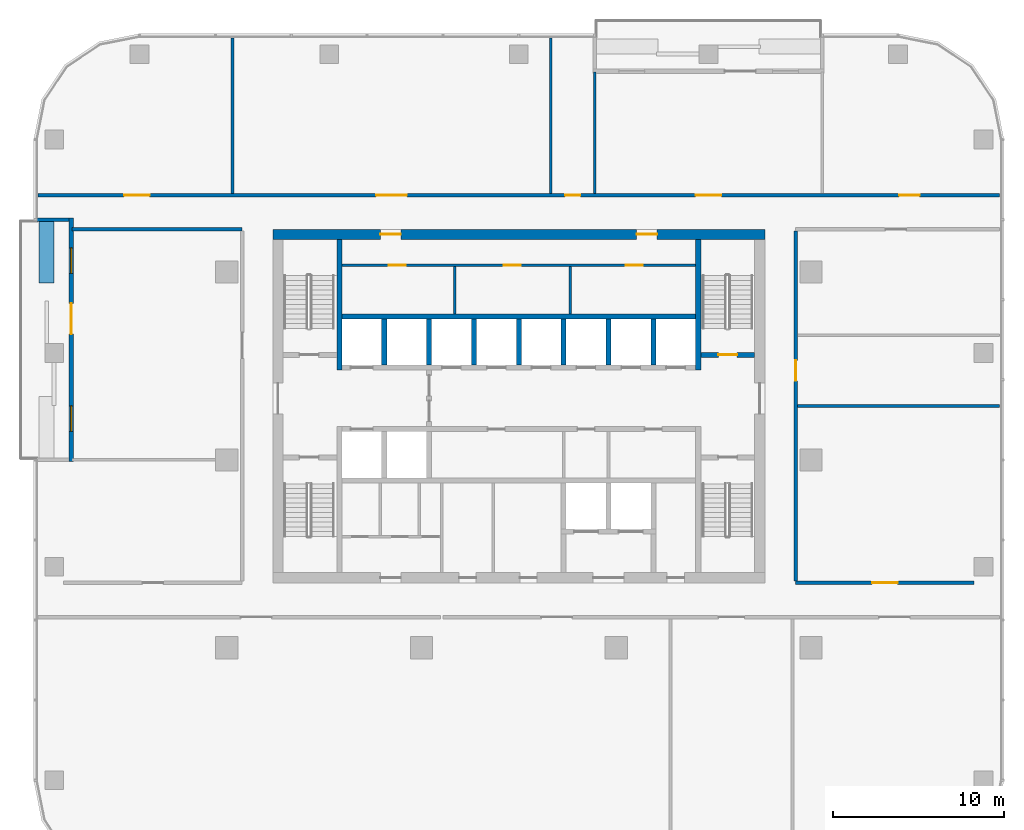
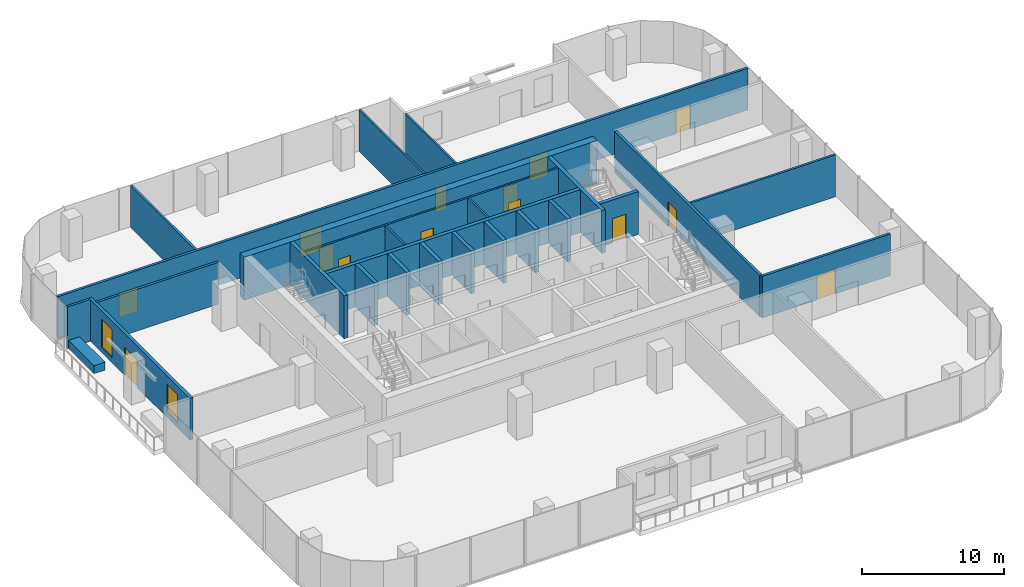
# One storey, part 9 of 14: 26 walls, 14 doors, 2 windows, 16 openings.
"""IFC4 building model written with IfcOpenShell, lengths in metres."""

from ifc_helpers import new_model, si_unit, direction, frame, frame_2d, origin, place, context, subcontext, project, spatial, rectangle, extrude, material, layer, layer_set, type_object, element, fill, save


model = new_model("IFC4")

# Units and contexts
model_context = context("Model", 3, precision=1e-05, world=origin(), true_north=direction((0.0, 1.0)))
body_context = subcontext(model_context, "Body", "Model", "MODEL_VIEW")
ifc_project = project(units=[si_unit("LENGTHUNIT", "METRE"), si_unit("AREAUNIT", "SQUARE_METRE"), si_unit("VOLUMEUNIT", "CUBIC_METRE"), si_unit("PLANEANGLEUNIT", "RADIAN"), si_unit("MASSUNIT", "GRAM", prefix="KILO")], contexts=[model_context])

# Site, building, storey
site_placement = place(None, origin())
site = spatial("IfcSite", under=ifc_project, at=site_placement, CompositionType="ELEMENT")
building_placement = place(site_placement, origin())
building = spatial("IfcBuilding", under=site, at=building_placement, Name="Mopane Tessera Tower", CompositionType="ELEMENT")
storey_placement = place(building_placement, frame((0.0, 0.0, 251.0)))
storey = spatial("IfcBuildingStorey", under=building, at=storey_placement, Name="L54", CompositionType="ELEMENT", Elevation=251.0)

# Walls
ifc_material_1 = material(Name="Fire-rated gypsum board partition")
ifc_layer_1 = layer(ifc_material_1, 0.14990234375)
ifc_layer_set_1 = layer_set([ifc_layer_1], Name="Fire-rated gypsum board partition")
wall_type_1 = type_object("IfcWallType", Name="Core room partition 150 mm", PredefinedType="PARTITIONING", material=ifc_layer_set_1)
for number, where, z_axis, x_axis, name in (
    (1, (-3.75, 8.550048828125, 0.0), (0.0, 0.0, 1.0), (0.0, 1.0, 0.0), "L54 Room partition"),
    (2, (3.0, 8.550048828125, 0.0), (0.0, 0.0, 1.0), (0.0, 1.0, 0.0), "L54 Room partition"),
):
    element("IfcWall", number, at=place(storey_placement, frame(where, z_axis=z_axis, x_axis=x_axis)), inside=storey, type_object=wall_type_1, Name=name, PredefinedType="PARTITIONING", context=body_context, shape_type="SweptSolid", body=[
        extrude(rectangle(XDim=2.77490234375, YDim=0.14990234375, at=frame_2d((1.387451171875, 0.0))), origin(), (0.0, 0.0, 1.0), 3.699951171875),
    ])

# Wall, openings, doors
wall_1_placement = place(storey_placement, frame((-10.35009765625, 11.39990234375, 0.0), z_axis=(0.0, 0.0, 1.0), x_axis=(1.0, 0.0, 0.0)))
wall_1 = element("IfcWall", 3, at=wall_1_placement, inside=storey, type_object=wall_type_1, Name="L54 Corridor wall", PredefinedType="PARTITIONING", context=body_context, shape_type="SweptSolid", body=[
    extrude(rectangle(XDim=20.7001953125, YDim=0.14990234375, at=frame_2d((10.35009765625, 0.0))), origin(), (0.0, 0.0, 1.0), 3.699951171875),
])
opening_1_placement = place(wall_1_placement, frame((2.72509765625, 0.0, 0.0)))
opening_1 = element("IfcOpeningElement", 4, at=opening_1_placement, cuts=wall_1, Name="Opening RD1", PredefinedType="OPENING", context=body_context, shape_type="SweptSolid", body=[
    extrude(rectangle(XDim=1.0, YDim=2.10009765625, at=frame_2d((0.5, 1.050048828125))), frame((0.0, 0.0869140625, 0.0), z_axis=(0.0, -1.0, 0.0), x_axis=(1.0, 0.0, 0.0)), (0.0, 0.0, 1.0), 0.173828125),
])
opening_2_placement = place(wall_1_placement, frame((9.47509765625, 0.0, 0.0)))
opening_2 = element("IfcOpeningElement", 5, at=opening_2_placement, cuts=wall_1, Name="Opening RD1", PredefinedType="OPENING", context=body_context, shape_type="SweptSolid", body=[
    extrude(rectangle(XDim=1.0, YDim=2.10009765625, at=frame_2d((0.5, 1.050048828125))), frame((0.0, 0.0869140625, 0.0), z_axis=(0.0, -1.0, 0.0), x_axis=(1.0, 0.0, 0.0)), (0.0, 0.0, 1.0), 0.173828125),
])
opening_3_placement = place(wall_1_placement, frame((16.60009765625, 0.0, 0.0)))
opening_3 = element("IfcOpeningElement", 6, at=opening_3_placement, cuts=wall_1, Name="Opening RD1", PredefinedType="OPENING", context=body_context, shape_type="SweptSolid", body=[
    extrude(rectangle(XDim=1.0, YDim=2.10009765625, at=frame_2d((0.5, 1.050048828125))), frame((0.0, 0.0869140625, 0.0), z_axis=(0.0, -1.0, 0.0), x_axis=(1.0, 0.0, 0.0)), (0.0, 0.0, 1.0), 0.173828125),
])
ifc_material_2 = material(Name="Timber door", Category="wood")
door_type_1 = type_object("IfcDoorType", Name="Core room door 1000 x 2100", OperationType="SINGLE_SWING_LEFT", PredefinedType="DOOR", material=ifc_material_2)
door_1_placement = place(opening_1_placement, origin())
door_1 = element("IfcDoor", 7, at=door_1_placement, inside=storey, type_object=door_type_1, Name="L54 Room door", OperationType="SINGLE_SWING_LEFT", OverallHeight=2.10009765625, OverallWidth=1.0, PredefinedType="DOOR", context=body_context, shape_type="SweptSolid", body=[
    extrude(rectangle(XDim=1.0, YDim=2.10009765625, at=frame_2d((0.5, 1.050048828125))), frame((0.0, 0.02490234375, 0.0), z_axis=(0.0, -1.0, 0.0), x_axis=(1.0, 0.0, 0.0)), (0.0, 0.0, 1.0), 0.050048828125),
])
fill(opening_1, door_1)
door_2_placement = place(opening_2_placement, origin())
door_2 = element("IfcDoor", 8, at=door_2_placement, inside=storey, type_object=door_type_1, Name="L54 Room door", OperationType="SINGLE_SWING_LEFT", OverallHeight=2.10009765625, OverallWidth=1.0, PredefinedType="DOOR", context=body_context, shape_type="SweptSolid", body=[
    extrude(rectangle(XDim=1.0, YDim=2.10009765625, at=frame_2d((0.5, 1.050048828125))), frame((0.0, 0.02490234375, 0.0), z_axis=(0.0, -1.0, 0.0), x_axis=(1.0, 0.0, 0.0)), (0.0, 0.0, 1.0), 0.050048828125),
])
fill(opening_2, door_2)
door_3_placement = place(opening_3_placement, origin())
door_3 = element("IfcDoor", 9, at=door_3_placement, inside=storey, type_object=door_type_1, Name="L54 Room door", OperationType="SINGLE_SWING_LEFT", OverallHeight=2.10009765625, OverallWidth=1.0, PredefinedType="DOOR", context=body_context, shape_type="SweptSolid", body=[
    extrude(rectangle(XDim=1.0, YDim=2.10009765625, at=frame_2d((0.5, 1.050048828125))), frame((0.0, 0.02490234375, 0.0), z_axis=(0.0, -1.0, 0.0), x_axis=(1.0, 0.0, 0.0)), (0.0, 0.0, 1.0), 0.050048828125),
])
fill(opening_3, door_3)

ifc_material_3 = material(Name="Concrete C70/85", Category="concrete")
ifc_layer_2 = layer(ifc_material_3, 0.60009765625)
ifc_layer_set_2 = layer_set([ifc_layer_2], Name="Concrete C70/85")
wall_type_2 = type_object("IfcWallType", Name="Core shear wall 600 mm", PredefinedType="SHEAR", material=ifc_layer_set_2)
wall_2_placement = place(storey_placement, frame((-14.39990234375, 13.199951171875, 0.0), z_axis=(0.0, 0.0, 1.0), x_axis=(1.0, 0.0, 0.0)))
wall_2 = element("IfcWall", 10, at=wall_2_placement, inside=storey, type_object=wall_type_2, Name="L54 Core wall north", PredefinedType="SHEAR", context=body_context, shape_type="SweptSolid", body=[
    extrude(rectangle(XDim=28.7998046875, YDim=0.60009765625, at=frame_2d((14.39990234375, 0.0))), origin(), (0.0, 0.0, 1.0), 3.699951171875),
])
opening_4_placement = place(wall_2_placement, frame((6.300048828125, 0.0, 0.0)))
opening_4 = element("IfcOpeningElement", 11, at=opening_4_placement, cuts=wall_2, Name="Opening RD2", PredefinedType="OPENING", context=body_context, shape_type="SweptSolid", body=[
    extrude(rectangle(XDim=1.199951171875, YDim=2.10009765625, at=frame_2d((0.60009765625, 1.050048828125))), frame((0.0, 0.31201171875, 0.0), z_axis=(0.0, -1.0, 0.0), x_axis=(1.0, 0.0, 0.0)), (0.0, 0.0, 1.0), 0.6240234375),
])
opening_5_placement = place(wall_2_placement, frame((21.300048828125, 0.0, 0.0)))
opening_5 = element("IfcOpeningElement", 12, at=opening_5_placement, cuts=wall_2, Name="Opening RD2", PredefinedType="OPENING", context=body_context, shape_type="SweptSolid", body=[
    extrude(rectangle(XDim=1.199951171875, YDim=2.10009765625, at=frame_2d((0.60009765625, 1.050048828125))), frame((0.0, 0.31201171875, 0.0), z_axis=(0.0, -1.0, 0.0), x_axis=(1.0, 0.0, 0.0)), (0.0, 0.0, 1.0), 0.6240234375),
])
ifc_material_4 = material(Name="Timber door", Category="wood")
door_type_2 = type_object("IfcDoorType", Name="Core corridor door 1200 x 2100", OperationType="SINGLE_SWING_LEFT", PredefinedType="DOOR", material=ifc_material_4)
door_4_placement = place(opening_4_placement, origin())
door_4 = element("IfcDoor", 13, at=door_4_placement, inside=storey, type_object=door_type_2, Name="L54 Corridor door", OperationType="SINGLE_SWING_LEFT", OverallHeight=2.10009765625, OverallWidth=1.199951171875, PredefinedType="DOOR", context=body_context, shape_type="SweptSolid", body=[
    extrude(rectangle(XDim=1.199951171875, YDim=2.10009765625, at=frame_2d((0.60009765625, 1.050048828125))), frame((0.0, 0.02490234375, 0.0), z_axis=(0.0, -1.0, 0.0), x_axis=(1.0, 0.0, 0.0)), (0.0, 0.0, 1.0), 0.050048828125),
])
fill(opening_4, door_4)
door_5_placement = place(opening_5_placement, origin())
door_5 = element("IfcDoor", 14, at=door_5_placement, inside=storey, type_object=door_type_2, Name="L54 Corridor door", OperationType="SINGLE_SWING_RIGHT", OverallHeight=2.10009765625, OverallWidth=1.199951171875, PredefinedType="DOOR", context=body_context, shape_type="SweptSolid", body=[
    extrude(rectangle(XDim=1.199951171875, YDim=2.10009765625, at=frame_2d((0.60009765625, 1.050048828125))), frame((0.0, 0.02490234375, 0.0), z_axis=(0.0, -1.0, 0.0), x_axis=(1.0, 0.0, 0.0)), (0.0, 0.0, 1.0), 0.050048828125),
])
fill(opening_5, door_5)

# Walls
ifc_material_5 = material(Name="Concrete C60/75", Category="concrete")
ifc_layer_3 = layer(ifc_material_5, 0.300048828125)
ifc_layer_set_3 = layer_set([ifc_layer_3], Name="Concrete C60/75")
wall_type_3 = type_object("IfcWallType", Name="Core spine wall 300 mm", PredefinedType="SHEAR", material=ifc_layer_set_3)
for number, where, z_axis, x_axis, name in (
    (15, (-10.5, 5.25, 0.0), (0.0, 0.0, 1.0), (0.0, 1.0, 0.0), "L54 Core spine wall"),
    (16, (10.5, 5.25, 0.0), (0.0, 0.0, 1.0), (0.0, 1.0, 0.0), "L54 Core spine wall"),
):
    element("IfcWall", number, at=place(storey_placement, frame(where, z_axis=z_axis, x_axis=x_axis)), inside=storey, type_object=wall_type_3, Name=name, PredefinedType="SHEAR", context=body_context, shape_type="SweptSolid", body=[
        extrude(rectangle(XDim=7.64990234375, YDim=0.300048828125, at=frame_2d((3.824951171875, 0.0))), origin(), (0.0, 0.0, 1.0), 3.699951171875),
    ])
ifc_material_6 = material(Name="Gypsum board on staggered steel studs, double layer each face, acoustic mineral wool infill", Category="steel")
ifc_layer_4 = layer(ifc_material_6, 0.175048828125)
ifc_layer_set_4 = layer_set([ifc_layer_4], Name="Gypsum board on staggered steel studs, double layer each face, acoustic mineral wool infill")
wall_type_4 = type_object("IfcWallType", Name="Gypsum board acoustic partition 175, rated EI 60", PredefinedType="PARTITIONING", material=ifc_layer_set_4)
wall_3_placement = place(storey_placement, frame((16.300048828125, 3.14990234375, 0.0), z_axis=(0.0, 0.0, 1.0), x_axis=(1.0, 0.0, 0.0)))
element("IfcWall", 17, at=wall_3_placement, inside=storey, type_object=wall_type_4, Name="Partition L54:005", PredefinedType="PARTITIONING", context=body_context, shape_type="SweptSolid", body=[
    extrude(rectangle(XDim=11.849853515625, YDim=0.175048828125, at=frame_2d((5.9248046875, 0.0))), origin(), (0.0, 0.0, 1.0), 3.60009765625),
])
wall_4_placement = place(storey_placement, frame((-16.77001953125, 15.60009765625, 0.0), z_axis=(0.0, 0.0, 1.0), x_axis=(0.0, 1.0, 0.0)))
element("IfcWall", 18, at=wall_4_placement, inside=storey, type_object=wall_type_4, Name="Partition L54:010", PredefinedType="PARTITIONING", context=body_context, shape_type="SweptSolid", body=[
    extrude(rectangle(XDim=9.099853515625, YDim=0.175048828125, at=frame_2d((4.5498046875, 0.0))), origin(), (0.0, 0.0, 1.0), 3.60009765625),
])

# Wall, opening, door
ifc_material_7 = material(Name="Gypsum board on steel studs, two layers each face, mineral wool infill", Category="steel")
ifc_layer_5 = layer(ifc_material_7, 0.199951171875)
ifc_layer_set_5 = layer_set([ifc_layer_5], Name="Gypsum board on steel studs, two layers each face, mineral wool infill")
wall_type_5 = type_object("IfcWallType", Name="Gypsum board corridor wall 200, rated EI 60", PredefinedType="PARTITIONING", material=ifc_layer_set_5)
wall_5_placement = place(storey_placement, frame((16.199951171875, -7.199951171875, 0.0), z_axis=(0.0, 0.0, 1.0), x_axis=(1.0, 0.0, 0.0)))
wall_5 = element("IfcWall", 19, at=wall_5_placement, inside=storey, type_object=wall_type_5, Name="Partition L54:003", PredefinedType="PARTITIONING", context=body_context, shape_type="SweptSolid", body=[
    extrude(rectangle(XDim=10.449951171875, YDim=0.199951171875, at=frame_2d((5.22509765625, 0.0))), origin(), (0.0, 0.0, 1.0), 3.60009765625),
])
opening_6_placement = place(wall_5_placement, frame((4.47509765625, 0.0, 0.0)))
opening_6 = element("IfcOpeningElement", 20, at=opening_6_placement, cuts=wall_5, Name="Opening L54-14", PredefinedType="OPENING", context=body_context, shape_type="SweptSolid", body=[
    extrude(rectangle(XDim=1.5, YDim=2.10009765625, at=frame_2d((0.75, 1.050048828125))), frame((0.0, 0.112060546875, 0.0), z_axis=(0.0, -1.0, 0.0), x_axis=(1.0, 0.0, 0.0)), (0.0, 0.0, 1.0), 0.223876953125),
])
ifc_material_8 = material(Name="Timber veneered steel-framed fire door", Category="steel")
door_type_3 = type_object("IfcDoorType", Name="Fire door pair FD60 1500 x 2100", OperationType="DOUBLE_DOOR_SINGLE_SWING", PredefinedType="DOOR", material=ifc_material_8)
door_6_placement = place(opening_6_placement, origin())
door_6 = element("IfcDoor", 21, at=door_6_placement, inside=storey, type_object=door_type_3, Name="Door L54-14", ObjectType="D17A", OperationType="DOUBLE_DOOR_SINGLE_SWING", OverallHeight=2.10009765625, OverallWidth=1.5, PredefinedType="DOOR", context=body_context, shape_type="SweptSolid", body=[
    extrude(rectangle(XDim=1.5, YDim=2.10009765625, at=frame_2d((0.75, 1.050048828125))), frame((0.0, 0.02490234375, 0.0), z_axis=(0.0, -1.0, 0.0), x_axis=(1.0, 0.0, 0.0)), (0.0, 0.0, 1.0), 0.050048828125),
])
fill(opening_6, door_6)

# Wall
wall_6_placement = place(storey_placement, frame((-26.14990234375, 13.5, 0.0), z_axis=(0.0, 0.0, 1.0), x_axis=(1.0, 0.0, 0.0)))
element("IfcWall", 22, at=wall_6_placement, inside=storey, type_object=wall_type_5, Name="Partition L54:007", PredefinedType="PARTITIONING", context=body_context, shape_type="SweptSolid", body=[
    extrude(rectangle(XDim=9.949951171875, YDim=0.199951171875, at=frame_2d((4.97509765625, 0.0))), origin(), (0.0, 0.0, 1.0), 3.60009765625),
])

# Wall, openings, doors
wall_7_placement = place(storey_placement, frame((-28.14990234375, 15.5, 0.0), z_axis=(0.0, 0.0, 1.0), x_axis=(1.0, 0.0, 0.0)))
wall_7 = element("IfcWall", 23, at=wall_7_placement, inside=storey, type_object=wall_type_5, Name="Partition L54:009", PredefinedType="PARTITIONING", context=body_context, shape_type="SweptSolid", body=[
    extrude(rectangle(XDim=56.2998046875, YDim=0.199951171875, at=frame_2d((28.14990234375, 0.0))), origin(), (0.0, 0.0, 1.0), 3.60009765625),
])
opening_7_placement = place(wall_7_placement, frame((50.405029296875, 0.0, 0.0)))
opening_7 = element("IfcOpeningElement", 24, at=opening_7_placement, cuts=wall_7, Name="Opening L54-01", PredefinedType="OPENING", context=body_context, shape_type="SweptSolid", body=[
    extrude(rectangle(XDim=1.199951171875, YDim=2.10009765625, at=frame_2d((0.60009765625, 1.050048828125))), frame((0.0, 0.112060546875, 0.0), z_axis=(0.0, -1.0, 0.0), x_axis=(1.0, 0.0, 0.0)), (0.0, 0.0, 1.0), 0.223876953125),
])
opening_8_placement = place(wall_7_placement, frame((38.5, 0.0, 0.0)))
opening_8 = element("IfcOpeningElement", 25, at=opening_8_placement, cuts=wall_7, Name="Opening L54-05", PredefinedType="OPENING", context=body_context, shape_type="SweptSolid", body=[
    extrude(rectangle(XDim=1.5, YDim=2.10009765625, at=frame_2d((0.75, 1.050048828125))), frame((0.0, 0.112060546875, 0.0), z_axis=(0.0, -1.0, 0.0), x_axis=(1.0, 0.0, 0.0)), (0.0, 0.0, 1.0), 0.223876953125),
])
opening_9_placement = place(wall_7_placement, frame((30.8525390625, 0.0, 0.0)))
opening_9 = element("IfcOpeningElement", 26, at=opening_9_placement, cuts=wall_7, Name="Opening L54-06", PredefinedType="OPENING", context=body_context, shape_type="SweptSolid", body=[
    extrude(rectangle(XDim=0.89990234375, YDim=2.10009765625, at=frame_2d((0.449951171875, 1.050048828125))), frame((0.0, 0.112060546875, 0.0), z_axis=(0.0, -1.0, 0.0), x_axis=(1.0, 0.0, 0.0)), (0.0, 0.0, 1.0), 0.223876953125),
])
opening_10_placement = place(wall_7_placement, frame((19.797607421875, 0.0, 0.0)))
opening_10 = element("IfcOpeningElement", 27, at=opening_10_placement, cuts=wall_7, Name="Opening L54-10", PredefinedType="OPENING", context=body_context, shape_type="SweptSolid", body=[
    extrude(rectangle(XDim=1.800048828125, YDim=2.10009765625, at=frame_2d((0.89990234375, 1.050048828125))), frame((0.0, 0.112060546875, 0.0), z_axis=(0.0, -1.0, 0.0), x_axis=(1.0, 0.0, 0.0)), (0.0, 0.0, 1.0), 0.223876953125),
])
opening_11_placement = place(wall_7_placement, frame((5.0400390625, 0.0, 0.0)))
opening_11 = element("IfcOpeningElement", 28, at=opening_11_placement, cuts=wall_7, Name="Opening L54-12", PredefinedType="OPENING", context=body_context, shape_type="SweptSolid", body=[
    extrude(rectangle(XDim=1.5, YDim=2.10009765625, at=frame_2d((0.75, 1.050048828125))), frame((0.0, 0.112060546875, 0.0), z_axis=(0.0, -1.0, 0.0), x_axis=(1.0, 0.0, 0.0)), (0.0, 0.0, 1.0), 0.223876953125),
])
ifc_material_9 = material(Name="Timber veneered steel-framed fire door", Category="steel")
door_type_4 = type_object("IfcDoorType", Name="Fire door FD60 1200 x 2100", OperationType="SINGLE_SWING_LEFT", PredefinedType="DOOR", material=ifc_material_9)
door_7_placement = place(opening_7_placement, origin())
door_7 = element("IfcDoor", 29, at=door_7_placement, inside=storey, type_object=door_type_4, Name="Door L54-01", ObjectType="D15A", OperationType="SINGLE_SWING_RIGHT", OverallHeight=2.10009765625, OverallWidth=1.199951171875, PredefinedType="DOOR", context=body_context, shape_type="SweptSolid", body=[
    extrude(rectangle(XDim=1.199951171875, YDim=2.10009765625, at=frame_2d((0.60009765625, 1.050048828125))), frame((0.0, 0.02490234375, 0.0), z_axis=(0.0, -1.0, 0.0), x_axis=(1.0, 0.0, 0.0)), (0.0, 0.0, 1.0), 0.050048828125),
])
fill(opening_7, door_7)
ifc_material_10 = material(Name="Timber veneered steel-framed fire door", Category="steel")
door_type_5 = type_object("IfcDoorType", Name="Fire door FD60 900 x 2100", OperationType="SINGLE_SWING_LEFT", PredefinedType="DOOR", material=ifc_material_10)
door_8_placement = place(opening_9_placement, origin())
door_8 = element("IfcDoor", 30, at=door_8_placement, inside=storey, type_object=door_type_5, Name="Door L54-06", ObjectType="D10A", OperationType="SINGLE_SWING_LEFT", OverallHeight=2.10009765625, OverallWidth=0.89990234375, PredefinedType="DOOR", context=body_context, shape_type="SweptSolid", body=[
    extrude(rectangle(XDim=0.89990234375, YDim=2.10009765625, at=frame_2d((0.449951171875, 1.050048828125))), frame((0.0, 0.02490234375, 0.0), z_axis=(0.0, -1.0, 0.0), x_axis=(1.0, 0.0, 0.0)), (0.0, 0.0, 1.0), 0.050048828125),
])
fill(opening_9, door_8)
door_9_placement = place(opening_8_placement, origin())
door_9 = element("IfcDoor", 31, at=door_9_placement, inside=storey, type_object=door_type_3, Name="Door L54-05", ObjectType="D17A", OperationType="DOUBLE_DOOR_SINGLE_SWING", OverallHeight=2.10009765625, OverallWidth=1.5, PredefinedType="DOOR", context=body_context, shape_type="SweptSolid", body=[
    extrude(rectangle(XDim=1.5, YDim=2.10009765625, at=frame_2d((0.75, 1.050048828125))), frame((0.0, 0.02490234375, 0.0), z_axis=(0.0, -1.0, 0.0), x_axis=(1.0, 0.0, 0.0)), (0.0, 0.0, 1.0), 0.050048828125),
])
fill(opening_8, door_9)
door_10_placement = place(opening_11_placement, origin())
door_10 = element("IfcDoor", 32, at=door_10_placement, inside=storey, type_object=door_type_3, Name="Door L54-12", ObjectType="D17A", OperationType="DOUBLE_DOOR_SINGLE_SWING", OverallHeight=2.10009765625, OverallWidth=1.5, PredefinedType="DOOR", context=body_context, shape_type="SweptSolid", body=[
    extrude(rectangle(XDim=1.5, YDim=2.10009765625, at=frame_2d((0.75, 1.050048828125))), frame((0.0, 0.02490234375, 0.0), z_axis=(0.0, -1.0, 0.0), x_axis=(1.0, 0.0, 0.0)), (0.0, 0.0, 1.0), 0.050048828125),
])
fill(opening_11, door_10)
ifc_material_11 = material(Name="Timber veneered steel-framed fire door", Category="steel")
door_type_6 = type_object("IfcDoorType", Name="Fire door pair FD60 1800 x 2100", OperationType="DOUBLE_DOOR_SINGLE_SWING", PredefinedType="DOOR", material=ifc_material_11)
door_11_placement = place(opening_10_placement, origin())
door_11 = element("IfcDoor", 33, at=door_11_placement, inside=storey, type_object=door_type_6, Name="Door L54-10", ObjectType="D20A", OperationType="DOUBLE_DOOR_SINGLE_SWING", OverallHeight=2.10009765625, OverallWidth=1.800048828125, PredefinedType="DOOR", context=body_context, shape_type="SweptSolid", body=[
    extrude(rectangle(XDim=1.800048828125, YDim=2.10009765625, at=frame_2d((0.89990234375, 1.050048828125))), frame((0.0, 0.02490234375, 0.0), z_axis=(0.0, -1.0, 0.0), x_axis=(1.0, 0.0, 0.0)), (0.0, 0.0, 1.0), 0.050048828125),
])
fill(opening_10, door_11)

# Wall, opening, door
wall_8_placement = place(storey_placement, frame((16.199951171875, -7.10009765625, 0.0), z_axis=(0.0, 0.0, 1.0), x_axis=(0.0, 1.0, 0.0)))
wall_8 = element("IfcWall", 34, at=wall_8_placement, inside=storey, type_object=wall_type_5, Name="Partition L54:016", PredefinedType="PARTITIONING", context=body_context, shape_type="SweptSolid", body=[
    extrude(rectangle(XDim=20.5, YDim=0.199951171875, at=frame_2d((10.25, 0.0))), origin(), (0.0, 0.0, 1.0), 3.60009765625),
])
opening_12_placement = place(wall_8_placement, frame((11.719970703125, 0.0, 0.0)))
opening_12 = element("IfcOpeningElement", 35, at=opening_12_placement, cuts=wall_8, Name="Opening L54-11", PredefinedType="OPENING", context=body_context, shape_type="SweptSolid", body=[
    extrude(rectangle(XDim=1.199951171875, YDim=2.10009765625, at=frame_2d((0.60009765625, 1.050048828125))), frame((0.0, 0.112060546875, 0.0), z_axis=(0.0, -1.0, 0.0), x_axis=(1.0, 0.0, 0.0)), (0.0, 0.0, 1.0), 0.223876953125),
])
door_12_placement = place(opening_12_placement, origin())
door_12 = element("IfcDoor", 36, at=door_12_placement, inside=storey, type_object=door_type_4, Name="Door L54-11", ObjectType="D15A", OperationType="SINGLE_SWING_LEFT", OverallHeight=2.10009765625, OverallWidth=1.199951171875, PredefinedType="DOOR", context=body_context, shape_type="SweptSolid", body=[
    extrude(rectangle(XDim=1.199951171875, YDim=2.10009765625, at=frame_2d((0.60009765625, 1.050048828125))), frame((0.0, 0.02490234375, 0.0), z_axis=(0.0, -1.0, 0.0), x_axis=(1.0, 0.0, 0.0)), (0.0, 0.0, 1.0), 0.050048828125),
])
fill(opening_12, door_12)

# Walls
ifc_material_12 = material(Name="Gypsum board on steel studs, mineral wool infill", Category="steel")
ifc_layer_6 = layer(ifc_material_12, 0.14990234375)
ifc_layer_set_6 = layer_set([ifc_layer_6], Name="Gypsum board on steel studs, mineral wool infill")
wall_type_6 = type_object("IfcWallType", Name="Gypsum board partition 150, rated EI 60", PredefinedType="PARTITIONING", material=ifc_layer_set_6)
wall_9_placement = place(storey_placement, frame((1.864990234375, 15.60009765625, 0.0), z_axis=(0.0, 0.0, 1.0), x_axis=(0.0, 1.0, 0.0)))
element("IfcWall", 37, at=wall_9_placement, inside=storey, type_object=wall_type_6, Name="Partition L54:012", PredefinedType="PARTITIONING", context=body_context, shape_type="SweptSolid", body=[
    extrude(rectangle(XDim=9.099853515625, YDim=0.14990234375, at=frame_2d((4.5498046875, 0.0))), origin(), (0.0, 0.0, 1.0), 3.60009765625),
])
wall_10_placement = place(storey_placement, frame((4.43994140625, 15.60009765625, 0.0), z_axis=(0.0, 0.0, 1.0), x_axis=(0.0, 1.0, 0.0)))
element("IfcWall", 38, at=wall_10_placement, inside=storey, type_object=wall_type_6, Name="Partition L54:013", PredefinedType="PARTITIONING", context=body_context, shape_type="SweptSolid", body=[
    extrude(rectangle(XDim=7.099853515625, YDim=0.14990234375, at=frame_2d((3.5498046875, 0.0))), origin(), (0.0, 0.0, 1.0), 3.60009765625),
])

# Wall, opening, door
ifc_material_13 = material(Name="Concrete C50/60", Category="concrete")
ifc_layer_7 = layer(ifc_material_13, 0.300048828125)
ifc_layer_set_7 = layer_set([ifc_layer_7], Name="Concrete C50/60")
wall_type_7 = type_object("IfcWallType", Name="Lift and stair shaft wall 300 mm", PredefinedType="SOLIDWALL", material=ifc_layer_set_7)
wall_11_placement = place(storey_placement, frame((10.64990234375, 6.14990234375, 0.0), z_axis=(0.0, 0.0, 1.0), x_axis=(1.0, 0.0, 0.0)))
wall_11 = element("IfcWall", 39, at=wall_11_placement, inside=storey, type_object=wall_type_7, Name="L54 Stair enclosure wall", PredefinedType="SOLIDWALL", context=body_context, shape_type="SweptSolid", body=[
    extrude(rectangle(XDim=3.150146484375, YDim=0.300048828125, at=frame_2d((1.5751953125, 0.0))), origin(), (0.0, 0.0, 1.0), 3.699951171875),
])
opening_13_placement = place(wall_11_placement, frame((1.02490234375, 0.0, 0.0)))
opening_13 = element("IfcOpeningElement", 40, at=opening_13_placement, cuts=wall_11, Name="Opening SD1", PredefinedType="OPENING", context=body_context, shape_type="SweptSolid", body=[
    extrude(rectangle(XDim=1.10009765625, YDim=2.10009765625, at=frame_2d((0.550048828125, 1.050048828125))), frame((0.0, 0.162109375, 0.0), z_axis=(0.0, -1.0, 0.0), x_axis=(1.0, 0.0, 0.0)), (0.0, 0.0, 1.0), 0.323974609375),
])
ifc_material_14 = material(Name="Steel fire door", Category="steel")
door_type_7 = type_object("IfcDoorType", Name="Stair fire door 1100 x 2100", OperationType="SINGLE_SWING_LEFT", PredefinedType="DOOR", material=ifc_material_14)
door_13_placement = place(opening_13_placement, origin())
door_13 = element("IfcDoor", 41, at=door_13_placement, inside=storey, type_object=door_type_7, Name="L54 Stair door ST4", OperationType="SINGLE_SWING_RIGHT", OverallHeight=2.10009765625, OverallWidth=1.10009765625, PredefinedType="DOOR", context=body_context, shape_type="SweptSolid", body=[
    extrude(rectangle(XDim=1.10009765625, YDim=2.10009765625, at=frame_2d((0.550048828125, 1.050048828125))), frame((0.0, 0.02490234375, 0.0), z_axis=(0.0, -1.0, 0.0), x_axis=(1.0, 0.0, 0.0)), (0.0, 0.0, 1.0), 0.050048828125),
])
fill(opening_13, door_13)

# Walls
wall_12_placement = place(storey_placement, frame((-10.35009765625, 8.39990234375, 0.0), z_axis=(0.0, 0.0, 1.0), x_axis=(1.0, 0.0, 0.0)))
element("IfcWall", 42, at=wall_12_placement, inside=storey, type_object=wall_type_7, Name="L54 Lift shaft rear wall", PredefinedType="SOLIDWALL", context=body_context, shape_type="SweptSolid", body=[
    extrude(rectangle(XDim=20.7001953125, YDim=0.300048828125, at=frame_2d((10.35009765625, 0.0))), origin(), (0.0, 0.0, 1.0), 3.699951171875),
])
for number, where, z_axis, x_axis, name in (
    (43, (-7.875, 5.550048828125, 0.0), (0.0, 0.0, 1.0), (0.0, 1.0, 0.0), "L54 Lift shaft wall"),
    (44, (-5.25, 5.550048828125, 0.0), (0.0, 0.0, 1.0), (0.0, 1.0, 0.0), "L54 Lift shaft wall"),
    (45, (-2.625, 5.550048828125, 0.0), (0.0, 0.0, 1.0), (0.0, 1.0, 0.0), "L54 Lift shaft wall"),
    (46, (0.0, 5.550048828125, 0.0), (0.0, 0.0, 1.0), (0.0, 1.0, 0.0), "L54 Lift shaft wall"),
    (47, (2.625, 5.550048828125, 0.0), (0.0, 0.0, 1.0), (0.0, 1.0, 0.0), "L54 Lift shaft wall"),
    (48, (5.25, 5.550048828125, 0.0), (0.0, 0.0, 1.0), (0.0, 1.0, 0.0), "L54 Lift shaft wall"),
    (49, (7.875, 5.550048828125, 0.0), (0.0, 0.0, 1.0), (0.0, 1.0, 0.0), "L54 Lift shaft wall"),
):
    element("IfcWall", number, at=place(storey_placement, frame(where, z_axis=z_axis, x_axis=x_axis)), inside=storey, type_object=wall_type_7, Name=name, PredefinedType="SOLIDWALL", context=body_context, shape_type="SweptSolid", body=[
        extrude(rectangle(XDim=2.699951171875, YDim=0.300048828125, at=frame_2d((1.35009765625, 0.0))), origin(), (0.0, 0.0, 1.0), 3.699951171875),
    ])
ifc_material_15 = material(Name="Reinforced concrete C32/40 with waterproofing", Category="concrete")
ifc_layer_8 = layer(ifc_material_15, 0.89990234375)
ifc_layer_set_8 = layer_set([ifc_layer_8], Name="Reinforced concrete C32/40 with waterproofing")
wall_type_8 = type_object("IfcWallType", Name="Planter trough 3600 x 900", PredefinedType="STANDARD", material=ifc_layer_set_8)
wall_13_placement = place(storey_placement, frame((-27.64990234375, 13.96240234375, 0.0), z_axis=(0.0, 0.0, 1.0), x_axis=(0.0, -1.0, 0.0)))
element("IfcWall", 50, at=wall_13_placement, inside=storey, type_object=wall_type_8, Name="e:nw:L54:N3:pl0", PredefinedType="STANDARD", context=body_context, shape_type="SweptSolid", body=[
    extrude(rectangle(XDim=3.599853515625, YDim=0.89990234375, at=frame_2d((1.7998046875, 0.0))), origin(), (0.0, 0.0, 1.0), 0.699951171875),
])
ifc_material_16 = material(Name="Blockwork with glazed tile facing", Category="masonry")
ifc_layer_9 = layer(ifc_material_16, 0.199951171875)
ifc_layer_set_9 = layer_set([ifc_layer_9], Name="Blockwork with glazed tile facing")
wall_type_9 = type_object("IfcWallType", Name="Terrace cheek wall 200", PredefinedType="STANDARD", material=ifc_layer_set_9)
wall_14_placement = place(storey_placement, frame((-28.199951171875, 14.0625, 0.0), z_axis=(0.0, 0.0, 1.0), x_axis=(1.0, 0.0, 0.0)))
element("IfcWall", 51, at=wall_14_placement, inside=storey, type_object=wall_type_9, Name="e:nw:L54:N3:cheeka", PredefinedType="STANDARD", context=body_context, shape_type="SweptSolid", body=[
    extrude(rectangle(XDim=1.875, YDim=0.199951171875, at=frame_2d((0.9375, 0.0))), origin(), (0.0, 0.0, 1.0), 3.60009765625),
])

# Wall, openings, windows, door
ifc_material_17 = material(Name="Blockwork with ochre glazed tile facing", Category="masonry")
ifc_layer_10 = layer(ifc_material_17, 0.25)
ifc_layer_set_10 = layer_set([ifc_layer_10], Name="Blockwork with ochre glazed tile facing")
wall_type_10 = type_object("IfcWallType", Name="Tile-clad external wall 250, ochre", PredefinedType="STANDARD", material=ifc_layer_set_10)
wall_15_placement = place(storey_placement, frame((-26.199951171875, 14.16259765625, 0.0), z_axis=(0.0, 0.0, 1.0), x_axis=(0.0, -1.0, 0.0)))
wall_15 = element("IfcWall", 52, at=wall_15_placement, inside=storey, type_object=wall_type_10, Name="e:nw:L54:N3:back", PredefinedType="STANDARD", context=body_context, shape_type="SweptSolid", body=[
    extrude(rectangle(XDim=14.2626953125, YDim=0.25, at=frame_2d((7.13134765625, 0.0))), origin(), (0.0, 0.0, 1.0), 3.60009765625),
])
opening_14_placement = place(wall_15_placement, frame((1.75, 0.0, 0.449951171875)))
opening_14 = element("IfcOpeningElement", 53, at=opening_14_placement, cuts=wall_15, Name="Opening NW543A", PredefinedType="OPENING", context=body_context, shape_type="SweptSolid", body=[
    extrude(rectangle(XDim=1.5, YDim=2.39990234375, at=frame_2d((0.75, 1.199951171875))), frame((0.0, 0.136962890625, 0.0), z_axis=(0.0, -1.0, 0.0), x_axis=(1.0, 0.0, 0.0)), (0.0, 0.0, 1.0), 0.27392578125),
])
opening_15_placement = place(wall_15_placement, frame((5.0, 0.0, 0.0)))
opening_15 = element("IfcOpeningElement", 54, at=opening_15_placement, cuts=wall_15, Name="Opening ND543", PredefinedType="OPENING", context=body_context, shape_type="SweptSolid", body=[
    extrude(rectangle(XDim=1.800048828125, YDim=2.39990234375, at=frame_2d((0.89990234375, 1.199951171875))), frame((0.0, 0.136962890625, 0.0), z_axis=(0.0, -1.0, 0.0), x_axis=(1.0, 0.0, 0.0)), (0.0, 0.0, 1.0), 0.27392578125),
])
opening_16_placement = place(wall_15_placement, frame((11.0, 0.0, 0.449951171875)))
opening_16 = element("IfcOpeningElement", 55, at=opening_16_placement, cuts=wall_15, Name="Opening NW543B", PredefinedType="OPENING", context=body_context, shape_type="SweptSolid", body=[
    extrude(rectangle(XDim=1.5, YDim=2.39990234375, at=frame_2d((0.75, 1.199951171875))), frame((0.0, 0.136962890625, 0.0), z_axis=(0.0, -1.0, 0.0), x_axis=(1.0, 0.0, 0.0)), (0.0, 0.0, 1.0), 0.27392578125),
])
ifc_material_18 = material(Name="Clear laminated glass", Category="glass")
window_type = type_object("IfcWindowType", Name="Fixed window 1500 x 2400", PartitioningType="SINGLE_PANEL", PredefinedType="WINDOW", material=ifc_material_18)
window_1_placement = place(opening_14_placement, origin())
window_1 = element("IfcWindow", 56, at=window_1_placement, inside=storey, type_object=window_type, Name="e:nw:L54:N3:win0", OverallHeight=2.39990234375, OverallWidth=1.5, PartitioningType="SINGLE_PANEL", PredefinedType="WINDOW", context=body_context, shape_type="SweptSolid", body=[
    extrude(rectangle(XDim=1.5, YDim=2.39990234375, at=frame_2d((0.75, 1.199951171875))), frame((0.0, 0.030029296875, 0.0), z_axis=(0.0, -1.0, 0.0), x_axis=(1.0, 0.0, 0.0)), (0.0, 0.0, 1.0), 0.06005859375),
])
fill(opening_14, window_1)
window_2_placement = place(opening_16_placement, origin())
window_2 = element("IfcWindow", 57, at=window_2_placement, inside=storey, type_object=window_type, Name="e:nw:L54:N3:win2", OverallHeight=2.39990234375, OverallWidth=1.5, PartitioningType="SINGLE_PANEL", PredefinedType="WINDOW", context=body_context, shape_type="SweptSolid", body=[
    extrude(rectangle(XDim=1.5, YDim=2.39990234375, at=frame_2d((0.75, 1.199951171875))), frame((0.0, 0.030029296875, 0.0), z_axis=(0.0, -1.0, 0.0), x_axis=(1.0, 0.0, 0.0)), (0.0, 0.0, 1.0), 0.06005859375),
])
fill(opening_16, window_2)
ifc_material_19 = material(Name="Aluminium and clear glass", Category="aluminium")
door_type_8 = type_object("IfcDoorType", Name="Terrace double door 1800 x 2400", OperationType="DOUBLE_DOOR_SINGLE_SWING", PredefinedType="DOOR", material=ifc_material_19)
door_14_placement = place(opening_15_placement, origin())
door_14 = element("IfcDoor", 58, at=door_14_placement, inside=storey, type_object=door_type_8, Name="e:nw:L54:N3:door", ObjectType="D1", OperationType="DOUBLE_DOOR_SINGLE_SWING", OverallHeight=2.39990234375, OverallWidth=1.800048828125, PredefinedType="DOOR", context=body_context, shape_type="SweptSolid", body=[
    extrude(rectangle(XDim=1.800048828125, YDim=2.39990234375, at=frame_2d((0.89990234375, 1.199951171875))), frame((0.0, 0.02490234375, 0.0), z_axis=(0.0, -1.0, 0.0), x_axis=(1.0, 0.0, 0.0)), (0.0, 0.0, 1.0), 0.050048828125),
])
fill(opening_15, door_14)

save(model, "model.ifc")
